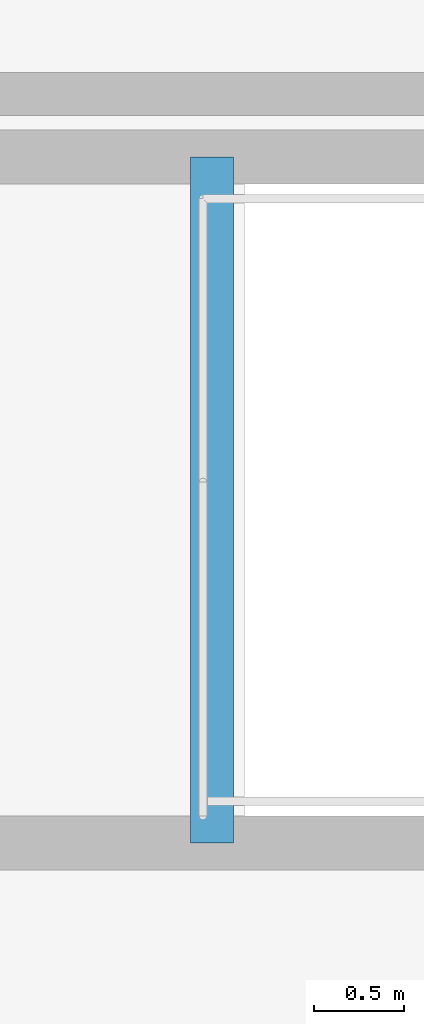
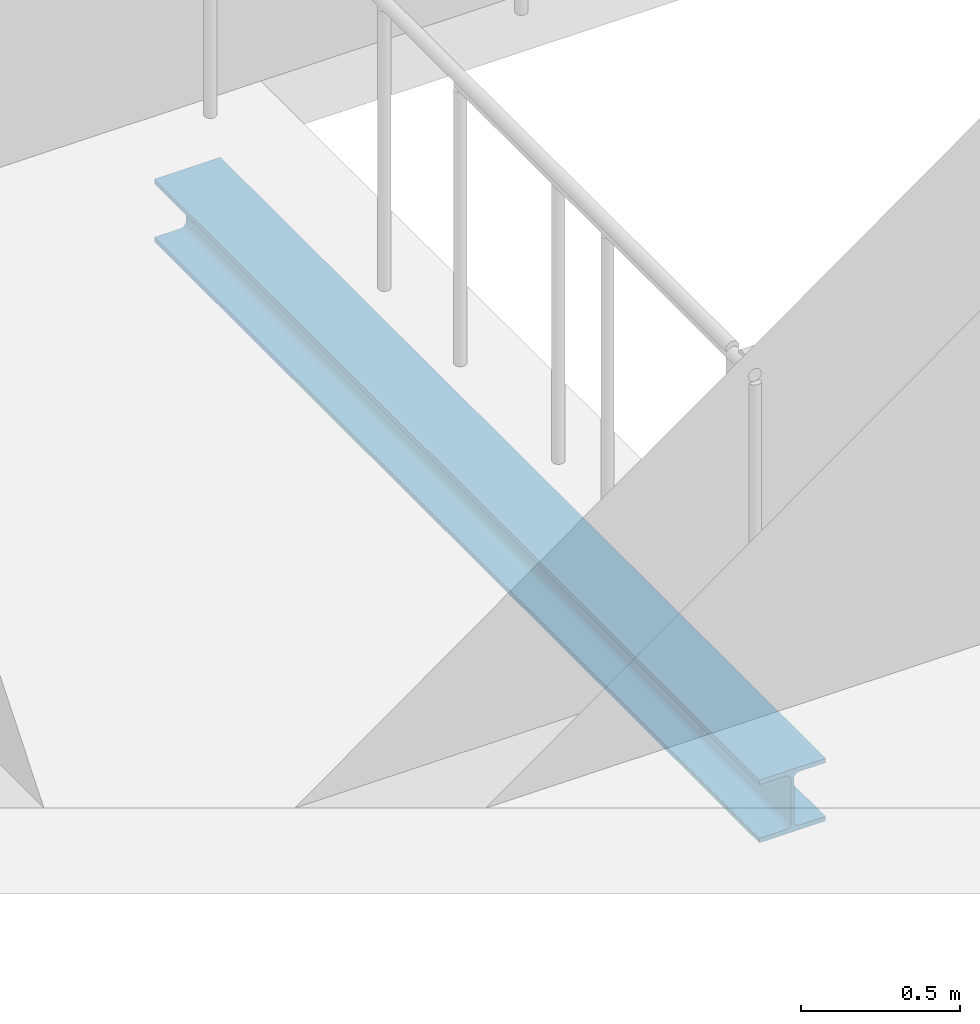
# One storey, part 22 of 67: 1 beam.
"""IFC4 building model written with IfcOpenShell, lengths in metres."""

from ifc_helpers import new_model, si_unit, direction, frame, origin, origin_2d, place, context, subcontext, project, spatial, i_section, extrude, material, material_profile, profile_set, type_object, element, save


model = new_model("IFC4")

# Units and contexts
model_context = context("Model", 3, precision=1e-05, world=origin(), true_north=direction((0.0, 1.0)))
body_context = subcontext(model_context, "Body", "Model", "MODEL_VIEW")
ifc_project = project(units=[si_unit("LENGTHUNIT", "METRE"), si_unit("AREAUNIT", "SQUARE_METRE"), si_unit("VOLUMEUNIT", "CUBIC_METRE"), si_unit("PLANEANGLEUNIT", "RADIAN"), si_unit("MASSUNIT", "GRAM", prefix="KILO")], contexts=[model_context])

# Site, building, storey
site_placement = place(None, origin())
site = spatial("IfcSite", under=ifc_project, at=site_placement, CompositionType="ELEMENT")
building_placement = place(site_placement, origin())
building = spatial("IfcBuilding", under=site, at=building_placement, Name="Tizgana Railside Sports Hall", CompositionType="ELEMENT")
storey_placement = place(building_placement, frame((0.0, 0.0, 12.0)))
storey = spatial("IfcBuildingStorey", under=building, at=storey_placement, Name="L02", CompositionType="ELEMENT", Elevation=12.0)

# Beam
ifc_material = material(Name="Steel S355J2", Category="steel")
ifc_material_profile = material_profile(ifc_material, i_section(OverallWidth=0.239990234375, OverallDepth=0.239990234375, WebThickness=0.010009765625, FlangeThickness=0.01708984375, FilletRadius=0.02099609375, at=origin_2d()), Name="HEB 240")
ifc_profile_set = profile_set([ifc_material_profile], Name="Steel S355J2")
beam_type = type_object("IfcBeamType", Name="Steel Beam HEB 240", PredefinedType="BEAM", material=ifc_profile_set)
beam_placement = place(storey_placement, frame((59.0, 83.050048828125, -0.48193359375), z_axis=(0.0, 1.0, 0.0), x_axis=(-1.0, 0.0, 0.0)))
element("IfcBeam", 1, at=beam_placement, inside=storey, type_object=beam_type, Name="L02 C4 Landing Header", PredefinedType="BEAM", context=body_context, shape_type="SweptSolid", body=[
    extrude(i_section(OverallWidth=0.239990234375, OverallDepth=0.239990234375, WebThickness=0.010009765625, FlangeThickness=0.01708984375, FilletRadius=0.02099609375, at=origin_2d()), origin(), (0.0, 0.0, 1.0), 3.800048828125),
])

save(model, "model.ifc")
